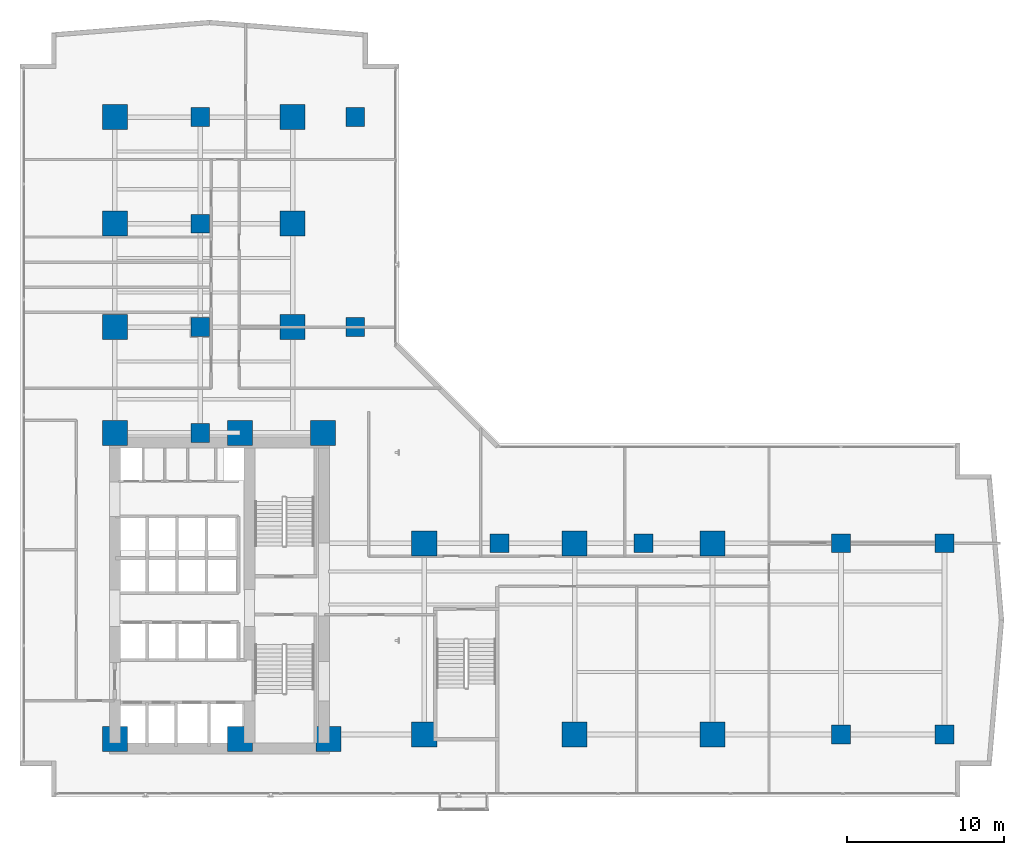
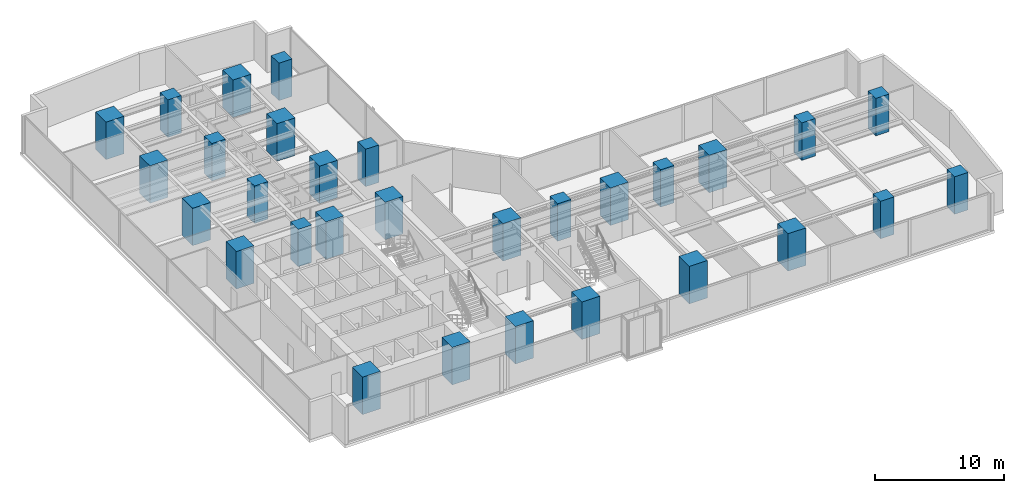
# One storey, part 1 of 26: 30 columns.
"""IFC4 building model written with IfcOpenShell, lengths in metres."""

from ifc_helpers import new_model, si_unit, direction, frame, origin, origin_2d, place, context, subcontext, project, spatial, rectangle, extrude, material, material_profile, profile_set, type_object, element, save


model = new_model("IFC4")

# Units and contexts
model_context = context("Model", 3, precision=1e-05, world=origin(), true_north=direction((0.0, 1.0)))
body_context = subcontext(model_context, "Body", "Model", "MODEL_VIEW")
ifc_project = project(units=[si_unit("LENGTHUNIT", "METRE"), si_unit("AREAUNIT", "SQUARE_METRE"), si_unit("VOLUMEUNIT", "CUBIC_METRE"), si_unit("PLANEANGLEUNIT", "RADIAN"), si_unit("MASSUNIT", "GRAM", prefix="KILO")], contexts=[model_context])

# Site, building, storey
site_placement = place(None, origin())
site = spatial("IfcSite", under=ifc_project, at=site_placement, CompositionType="ELEMENT")
building_placement = place(site_placement, origin())
building = spatial("IfcBuilding", under=site, at=building_placement, Name="Kolvaren Waterfront Exchange", CompositionType="ELEMENT")
storey_placement = place(building_placement, frame((0.0, 0.0, 48.60009765625)))
storey = spatial("IfcBuildingStorey", under=building, at=storey_placement, Name="L12", CompositionType="ELEMENT", Elevation=48.60009765625)

# Columns
ifc_material = material(Name="Concrete C70/85", Category="concrete")
ifc_material_profile_1 = material_profile(ifc_material, rectangle(XDim=1.199951171875, YDim=1.199951171875, at=origin_2d()), Name="RC-COL-1200x1200")
ifc_profile_set_1 = profile_set([ifc_material_profile_1], Name="Concrete C70/85")
column_type_1 = type_object("IfcColumnType", Name="STR-COL-1200-C70", PredefinedType="COLUMN", material=ifc_profile_set_1)
for number, where, z_axis, x_axis, name in (
    (1, (53.800048828125, 5.199951171875, 0.0), (0.0, 0.0, 1.0), (1.0, 0.0, 0.0), "L12 column ZC01"),
    (2, (53.800048828125, 17.39990234375, 0.0), (0.0, 0.0, 1.0), (1.0, 0.0, 0.0), "L12 column ZC02"),
    (3, (60.39990234375, 5.199951171875, 0.0), (0.0, 0.0, 1.0), (1.0, 0.0, 0.0), "L12 column ZC03"),
    (4, (60.39990234375, 17.39990234375, 0.0), (0.0, 0.0, 1.0), (1.0, 0.0, 0.0), "L12 column ZC04"),
    (5, (22.800048828125, 31.199951171875, 0.0), (0.0, 0.0, 1.0), (1.0, 0.0, 0.0), "L12 column ZC05"),
    (6, (22.800048828125, 44.60009765625, 0.0), (0.0, 0.0, 1.0), (1.0, 0.0, 0.0), "L12 column ZC06"),
    (7, (12.89990234375, 24.449951171875, 0.0), (0.0, 0.0, 1.0), (1.0, 0.0, 0.0), "L12 column TC01"),
    (8, (12.89990234375, 31.199951171875, 0.0), (0.0, 0.0, 1.0), (1.0, 0.0, 0.0), "L12 column TC02"),
    (9, (12.89990234375, 37.800048828125, 0.0), (0.0, 0.0, 1.0), (1.0, 0.0, 0.0), "L12 column TC03"),
    (10, (12.89990234375, 44.60009765625, 0.0), (0.0, 0.0, 1.0), (1.0, 0.0, 0.0), "L12 column TC04"),
    (11, (32.0, 17.39990234375, 0.0), (0.0, 0.0, 1.0), (1.0, 0.0, 0.0), "L12 column TC05"),
    (12, (41.199951171875, 17.39990234375, 0.0), (0.0, 0.0, 1.0), (1.0, 0.0, 0.0), "L12 column TC06"),
):
    element("IfcColumn", number, at=place(storey_placement, frame(where, z_axis=z_axis, x_axis=x_axis)), inside=storey, type_object=column_type_1, Name=name, PredefinedType="COLUMN", context=body_context, shape_type="SweptSolid", body=[
        extrude(rectangle(XDim=1.199951171875, YDim=1.199951171875, at=origin_2d()), origin(), (0.0, 0.0, 1.0), 3.539794921875),
    ])
ifc_material_profile_2 = material_profile(ifc_material, rectangle(XDim=1.60009765625, YDim=1.60009765625, at=origin_2d()), Name="RC-COL-1600x1600")
ifc_profile_set_2 = profile_set([ifc_material_profile_2], Name="Concrete C70/85")
column_type_2 = type_object("IfcColumnType", Name="STR-COL-1600-C70", PredefinedType="COLUMN", material=ifc_profile_set_2)
for number, where, z_axis, x_axis, name in (
    (13, (7.449951171875, 4.89990234375, 0.0), (0.0, 0.0, 1.0), (1.0, 0.0, 0.0), "L12 column MC01"),
    (14, (15.449951171875, 4.89990234375, 0.0), (0.0, 0.0, 1.0), (1.0, 0.0, 0.0), "L12 column MC02"),
    (15, (21.10009765625, 4.89990234375, 0.0), (0.0, 0.0, 1.0), (1.0, 0.0, 0.0), "L12 column MC03"),
    (16, (7.449951171875, 24.449951171875, 0.0), (0.0, 0.0, 1.0), (1.0, 0.0, 0.0), "L12 column MC04"),
    (17, (15.449951171875, 24.449951171875, 0.0), (0.0, 0.0, 1.0), (1.0, 0.0, 0.0), "L12 column MC05"),
    (18, (20.75, 24.449951171875, 0.0), (0.0, 0.0, 1.0), (1.0, 0.0, 0.0), "L12 column MC06"),
    (19, (7.449951171875, 31.199951171875, 0.0), (0.0, 0.0, 1.0), (1.0, 0.0, 0.0), "L12 column NC01"),
    (20, (7.449951171875, 37.800048828125, 0.0), (0.0, 0.0, 1.0), (1.0, 0.0, 0.0), "L12 column NC02"),
    (21, (7.449951171875, 44.60009765625, 0.0), (0.0, 0.0, 1.0), (1.0, 0.0, 0.0), "L12 column NC03"),
    (22, (18.800048828125, 31.199951171875, 0.0), (0.0, 0.0, 1.0), (1.0, 0.0, 0.0), "L12 column NC04"),
    (23, (18.800048828125, 37.800048828125, 0.0), (0.0, 0.0, 1.0), (1.0, 0.0, 0.0), "L12 column NC05"),
    (24, (18.800048828125, 44.60009765625, 0.0), (0.0, 0.0, 1.0), (1.0, 0.0, 0.0), "L12 column NC06"),
    (25, (27.199951171875, 5.199951171875, 0.0), (0.0, 0.0, 1.0), (1.0, 0.0, 0.0), "L12 column EC01"),
    (26, (36.800048828125, 5.199951171875, 0.0), (0.0, 0.0, 1.0), (1.0, 0.0, 0.0), "L12 column EC02"),
    (27, (45.60009765625, 5.199951171875, 0.0), (0.0, 0.0, 1.0), (1.0, 0.0, 0.0), "L12 column EC03"),
    (28, (27.199951171875, 17.39990234375, 0.0), (0.0, 0.0, 1.0), (1.0, 0.0, 0.0), "L12 column EC04"),
    (29, (36.800048828125, 17.39990234375, 0.0), (0.0, 0.0, 1.0), (1.0, 0.0, 0.0), "L12 column EC05"),
    (30, (45.60009765625, 17.39990234375, 0.0), (0.0, 0.0, 1.0), (1.0, 0.0, 0.0), "L12 column EC06"),
):
    element("IfcColumn", number, at=place(storey_placement, frame(where, z_axis=z_axis, x_axis=x_axis)), inside=storey, type_object=column_type_2, Name=name, PredefinedType="COLUMN", context=body_context, shape_type="SweptSolid", body=[
        extrude(rectangle(XDim=1.60009765625, YDim=1.60009765625, at=origin_2d()), origin(), (0.0, 0.0, 1.0), 3.539794921875),
    ])

save(model, "model.ifc")
